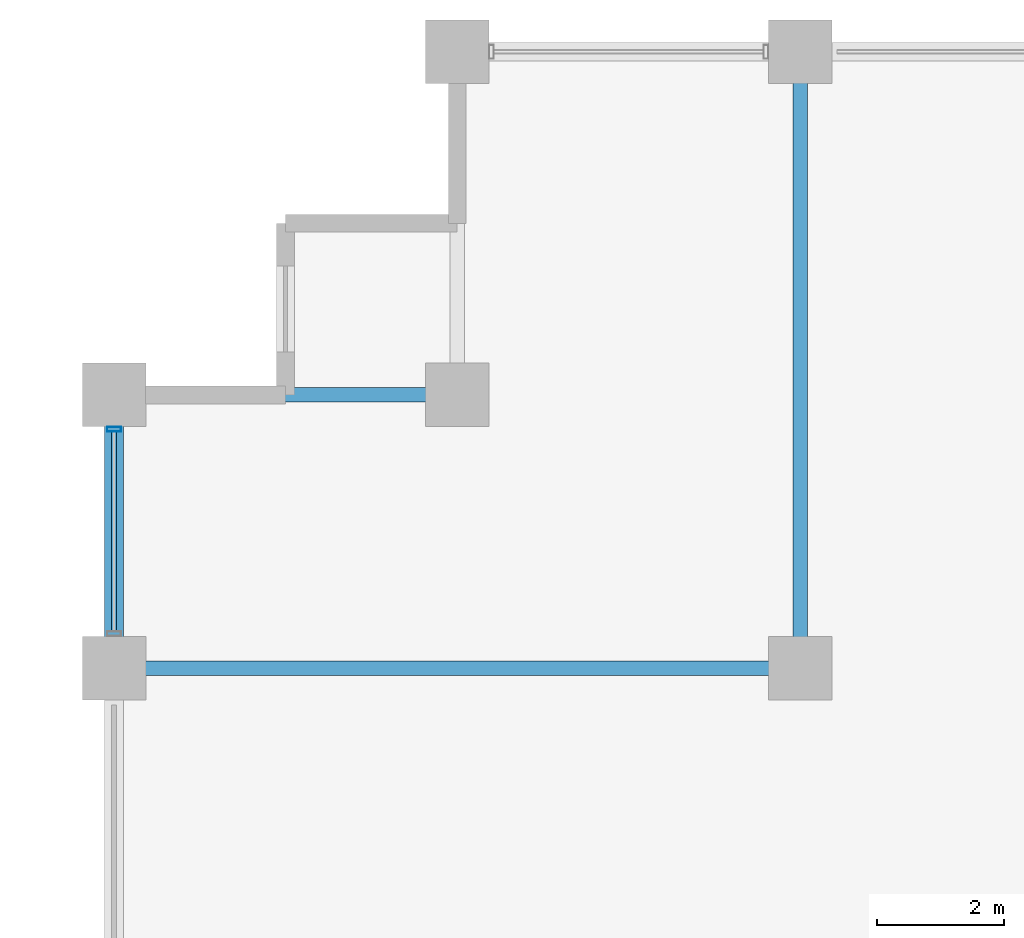
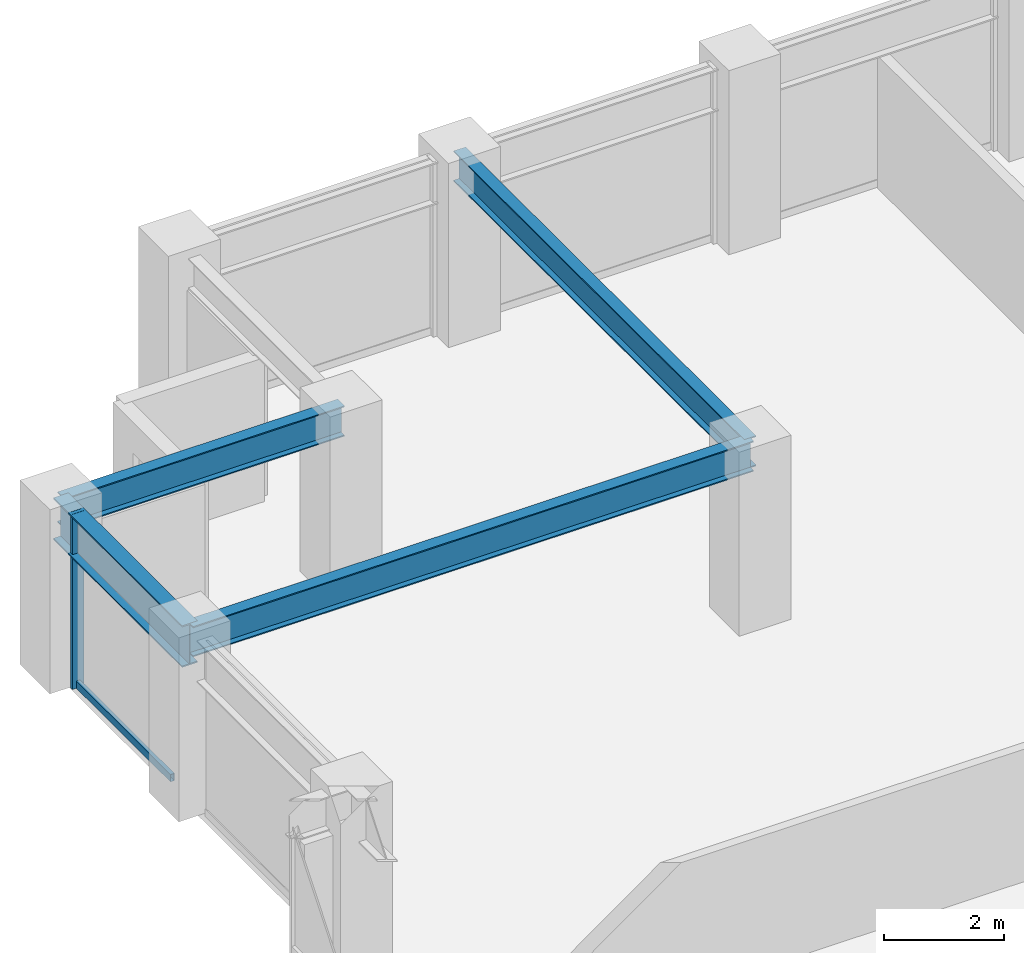
# One storey, part 11 of 26: 4 beams, 2 members, 1 element without a shape of its own.
"""IFC4 building model written with IfcOpenShell, lengths in metres."""

from ifc_helpers import new_model, si_unit, direction, frame, origin, origin_2d, place, context, subcontext, project, spatial, hollow_rectangle, i_section, extrude, material, layer, layer_set, material_profile, profile_set, type_object, element, aggregate, save


model = new_model("IFC4")

# Units and contexts
model_context = context("Model", 3, precision=1e-05, world=origin(), true_north=direction((0.0, 1.0)))
body_context = subcontext(model_context, "Body", "Model", "MODEL_VIEW")
ifc_project = project(units=[si_unit("LENGTHUNIT", "METRE"), si_unit("AREAUNIT", "SQUARE_METRE"), si_unit("VOLUMEUNIT", "CUBIC_METRE"), si_unit("PLANEANGLEUNIT", "RADIAN"), si_unit("MASSUNIT", "GRAM", prefix="KILO")], contexts=[model_context])

# Site, building, storey
site_placement = place(None, origin())
site = spatial("IfcSite", under=ifc_project, at=site_placement, CompositionType="ELEMENT")
building_placement = place(site_placement, origin())
building = spatial("IfcBuilding", under=site, at=building_placement, Name="Surkhivell Harbour Commons", CompositionType="ELEMENT")
storey_placement = place(building_placement, frame((0.0, 0.0, 143.25)))
storey = spatial("IfcBuildingStorey", under=building, at=storey_placement, Name="L37", CompositionType="ELEMENT", Elevation=143.25)

# Beams
ifc_material_1 = material(Name="Steel S355", Category="steel")
ifc_material_profile_1 = material_profile(ifc_material_1, i_section(OverallWidth=0.22998046875, OverallDepth=0.616943359375, WebThickness=0.01318359375, FlangeThickness=0.022216796875, at=origin_2d()), Name="UB610x229x140")
ifc_profile_set_1 = profile_set([ifc_material_profile_1], Name="Steel S355")
beam_type_1 = type_object("IfcBeamType", Name="BM-GRD-610B", PredefinedType="BEAM", material=ifc_profile_set_1)
beam_1_placement = place(storey_placement, frame((-32.39990234375, 16.199951171875, 3.261474609375), z_axis=(1.0, 0.0, 0.0), x_axis=(0.0, 1.0, 0.0)))
element("IfcBeam", 1, at=beam_1_placement, inside=storey, type_object=beam_type_1, Name="L37 Floor Girder (-32.4,16.2)", PredefinedType="BEAM", context=body_context, shape_type="SweptSolid", body=[
    extrude(i_section(OverallWidth=0.22998046875, OverallDepth=0.616943359375, WebThickness=0.01318359375, FlangeThickness=0.022216796875, at=origin_2d()), origin(), (0.0, 0.0, 1.0), 10.7998046875),
])
beam_2_placement = place(storey_placement, frame((-32.39990234375, 20.5, 3.261474609375), z_axis=(1.0, 0.0, 0.0), x_axis=(0.0, 1.0, 0.0)))
element("IfcBeam", 2, at=beam_2_placement, inside=storey, type_object=beam_type_1, Name="L37 Floor Girder (-32.4,20.5)", PredefinedType="BEAM", context=body_context, shape_type="SweptSolid", body=[
    extrude(i_section(OverallWidth=0.22998046875, OverallDepth=0.616943359375, WebThickness=0.01318359375, FlangeThickness=0.022216796875, at=origin_2d()), origin(), (0.0, 0.0, 1.0), 5.39990234375),
])
beam_3_placement = place(storey_placement, frame((-21.60009765625, 16.199951171875, 3.261474609375), z_axis=(0.0, 1.0, 0.0), x_axis=(-1.0, 0.0, 0.0)))
element("IfcBeam", 3, at=beam_3_placement, inside=storey, type_object=beam_type_1, Name="L37 Floor Girder (-21.6,16.2)", PredefinedType="BEAM", context=body_context, shape_type="SweptSolid", body=[
    extrude(i_section(OverallWidth=0.22998046875, OverallDepth=0.616943359375, WebThickness=0.01318359375, FlangeThickness=0.022216796875, at=origin_2d()), origin(), (0.0, 0.0, 1.0), 9.699951171875),
])
ifc_material_2 = material(Name="Steel S460", Category="steel")
ifc_material_profile_2 = material_profile(ifc_material_2, i_section(OverallWidth=0.2939453125, OverallDepth=0.85107421875, WebThickness=0.01611328125, FlangeThickness=0.02685546875, at=origin_2d()), Name="UB838x292x226")
ifc_profile_set_2 = profile_set([ifc_material_profile_2], Name="Steel S460")
beam_type_2 = type_object("IfcBeamType", Name="BM-SPN-838", PredefinedType="SPANDREL", material=ifc_profile_set_2)
beam_4_placement = place(storey_placement, frame((-32.39990234375, 16.199951171875, 3.14453125), z_axis=(0.0, 1.0, 0.0), x_axis=(-1.0, 0.0, 0.0)))
element("IfcBeam", 4, at=beam_4_placement, inside=storey, type_object=beam_type_2, Name="L37 Tube Spandrel (-32.4,16.2)", PredefinedType="SPANDREL", context=body_context, shape_type="SweptSolid", body=[
    extrude(i_section(OverallWidth=0.2939453125, OverallDepth=0.85107421875, WebThickness=0.01611328125, FlangeThickness=0.02685546875, at=origin_2d()), origin(), (0.0, 0.0, 1.0), 4.300048828125),
])

# Curtain wall, members
ifc_material_3 = material(Name="Anodised pale-metal aluminium and insulated glazing", Category="aluminium")
ifc_layer = layer(ifc_material_3, 0.205078125)
ifc_layer_set = layer_set([ifc_layer], Name="Anodised pale-metal aluminium and insulated glazing")
curtain_wall_type = type_object("IfcCurtainWallType", Name="CW-SYS-Z2", PredefinedType="NOTDEFINED", material=ifc_layer_set)
curtain_wall_placement = place(storey_placement, origin())
curtain_wall = element("IfcCurtainWall", 5, at=curtain_wall_placement, inside=storey, type_object=curtain_wall_type, Name="L37 Curtain Wall CW-L37-E12R2", PredefinedType="NOTDEFINED")
ifc_material_4 = material(Name="Anodised pale-metal aluminium alloy 6063-T6", Category="aluminium")
ifc_material_profile_3 = material_profile(ifc_material_4, hollow_rectangle(XDim=0.074951171875, YDim=0.219970703125, WallThickness=0.00390625, at=origin_2d()), Name="ALU-MULL-75x220")
ifc_profile_set_3 = profile_set([ifc_material_profile_3], Name="Anodised pale-metal aluminium alloy 6063-T6")
member_type_1 = type_object("IfcMemberType", Name="CWM-220", PredefinedType="MULLION", material=ifc_profile_set_3)
member_1_placement = place(storey_placement, frame((-32.39990234375, 19.96044921875, 0.0), z_axis=(0.0, 0.0, 1.0), x_axis=(0.0, 1.0, 0.0)))
member_1 = element("IfcMember", 6, at=member_1_placement, type_object=member_type_1, Name="CW-Z2 mullion 3", PredefinedType="MULLION", context=body_context, shape_type="SweptSolid", body=[
    extrude(hollow_rectangle(XDim=0.074951171875, YDim=0.219970703125, WallThickness=0.00390625, at=origin_2d()), origin(), (0.0, 0.0, 1.0), 3.570068359375),
])
ifc_material_profile_4 = material_profile(ifc_material_4, hollow_rectangle(XDim=0.074951171875, YDim=0.14990234375, WallThickness=0.00341796875, at=origin_2d()), Name="ALU-TRAN-75x150")
ifc_profile_set_4 = profile_set([ifc_material_profile_4], Name="Anodised pale-metal aluminium alloy 6063-T6")
member_type_2 = type_object("IfcMemberType", Name="CWT-150", PredefinedType="USERDEFINED", material=ifc_profile_set_4)
member_2_placement = place(storey_placement, frame((-32.39990234375, 16.777099609375, 0.074951171875), z_axis=(0.0, 1.0, 0.0), x_axis=(-1.0, 0.0, 0.0)))
member_2 = element("IfcMember", 7, at=member_2_placement, type_object=member_type_2, Name="CW-Z2 transom 2.1", ObjectType="TRANSOM", PredefinedType="USERDEFINED", context=body_context, shape_type="SweptSolid", body=[
    extrude(hollow_rectangle(XDim=0.074951171875, YDim=0.14990234375, WallThickness=0.00341796875, at=origin_2d()), origin(), (0.0, 0.0, 1.0), 3.14599609375),
])
aggregate(curtain_wall, [member_1, member_2])

save(model, "model.ifc")
